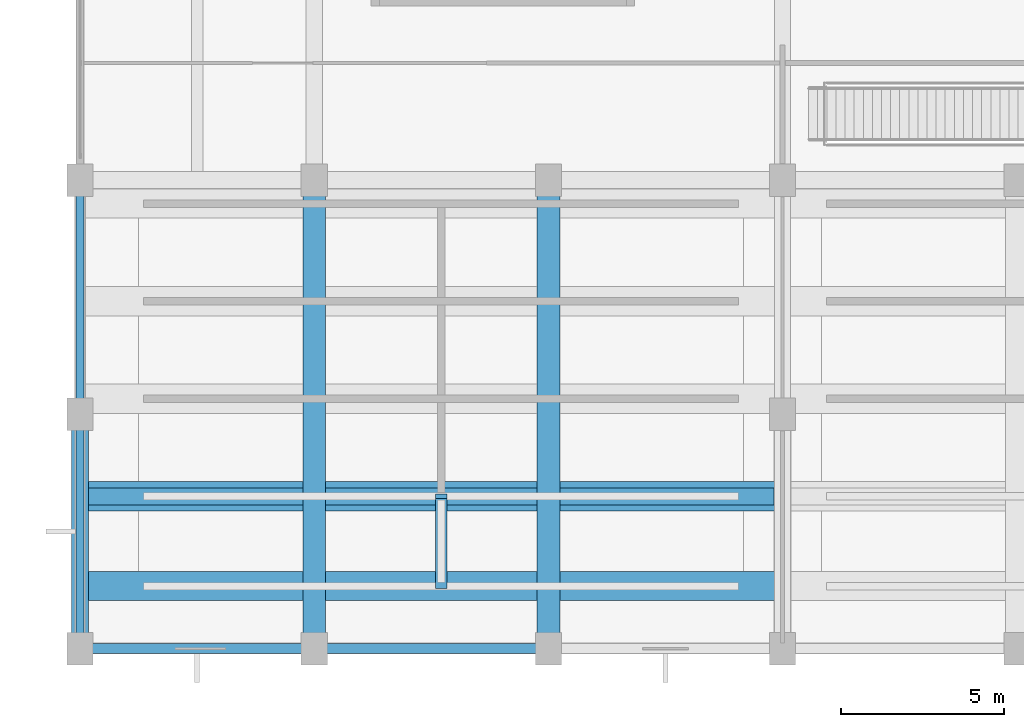
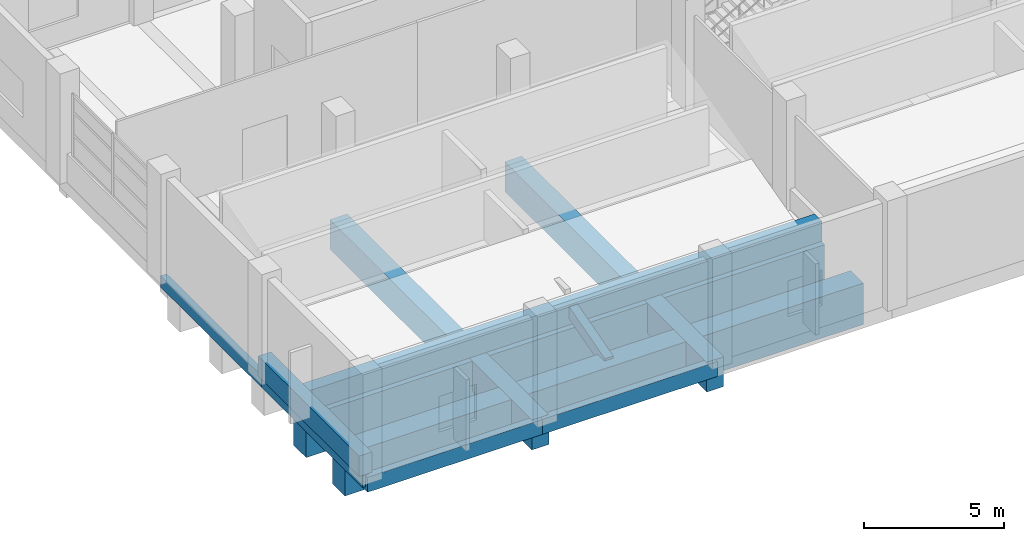
# One storey, part 3 of 140: 11 beams.
"""IFC4 building model written with IfcOpenShell, lengths in metres."""

import ifcopenshell
import ifcopenshell.guid

model = None  # the IFC model being written
_history = None  # IfcOwnerHistory: only IFC2X3 demands one
_inside = {}  # id of a spatial element -> (the spatial element, [elements in it])
_under = {}  # id of a project, library or spatial element -> (it, [spatial elements below it])
_declared = {}  # id of a project -> (the project, [libraries it declares])
_typed = {}  # id of a type object -> (the type object, [elements of that type])
_made_of = {}  # id of a material, layer set ... -> (it, [elements and type objects made of it])


def new_model(schema):
    """Start an empty IFC model of exactly this schema.

    Asked for "IFC4X3", IfcOpenShell would pick the latest addendum, in which some entities
    have other attributes; the version numbers below select the first issue.
    IFC2X3 requires an IfcOwnerHistory on every rooted entity: one is made here for all.
    """
    global model, _history
    if schema == "IFC4X3":
        model = ifcopenshell.file(schema_version=(4, 3, 0, 0))
    else:
        model = ifcopenshell.file(schema=schema)
    _inside.clear()
    _under.clear()
    _declared.clear()
    _typed.clear()
    _made_of.clear()
    _history = None
    if model.schema == "IFC2X3":
        org = make("IfcOrganization", Name="unknown")
        user = make(
            "IfcPersonAndOrganization",
            ThePerson=make("IfcPerson", FamilyName="unknown"),
            TheOrganization=org,
        )
        app = make(
            "IfcApplication",
            ApplicationDeveloper=org,
            Version="unknown",
            ApplicationFullName="unknown",
            ApplicationIdentifier="unknown",
        )
        _history = make(
            "IfcOwnerHistory",
            OwningUser=user,
            OwningApplication=app,
            ChangeAction="ADDED",
            CreationDate=0,
        )
    return model


def make(cls, **values):
    """One entity of the class cls with the attributes given. An attribute that is None is left unset."""
    return model.create_entity(
        cls, **{name: value for name, value in values.items() if value is not None}
    )


def rooted(cls, **values):
    """An entity with a GlobalId (a new one), such as an element, a storey or a relation."""
    return make(cls, GlobalId=ifcopenshell.guid.new(), OwnerHistory=_history, **values)


def si_unit(unit_type, name, prefix=None):
    """IfcSIUnit, for example si_unit("LENGTHUNIT", "METRE", prefix="MILLI")."""
    return make("IfcSIUnit", UnitType=unit_type, Prefix=prefix, Name=name)


def assignment(units):
    """IfcUnitAssignment: the units of a project."""
    return None if units is None else make("IfcUnitAssignment", Units=units)


def point(xyz):
    """IfcCartesianPoint."""
    return None if xyz is None else make("IfcCartesianPoint", Coordinates=xyz)


def direction(xyz):
    """IfcDirection."""
    return None if xyz is None else make("IfcDirection", DirectionRatios=xyz)


def frame(location, z_axis=None, x_axis=None):
    """IfcAxis2Placement3D, a coordinate frame: its origin and axes. An axis left out is left unset."""
    return make(
        "IfcAxis2Placement3D",
        Location=point(location),
        Axis=direction(z_axis),
        RefDirection=direction(x_axis),
    )


def frame_2d(location, x_axis=None):
    """IfcAxis2Placement2D, a coordinate frame in the plane: its origin and x axis."""
    return make(
        "IfcAxis2Placement2D", Location=point(location), RefDirection=direction(x_axis)
    )


def origin():
    """The frame at (0, 0, 0) with its axes left unset."""
    return frame((0.0, 0.0, 0.0))


def origin_2d():
    """The frame at (0, 0) in the plane with its x axis left unset."""
    return frame_2d((0.0, 0.0))


def place(relative_to, where):
    """IfcLocalPlacement: puts the frame where relative to a parent placement (None: the world)."""
    return make(
        "IfcLocalPlacement", PlacementRelTo=relative_to, RelativePlacement=where
    )


def context(
    kind, dimensions, precision=None, world=None, true_north=None, identifier=None
):
    """IfcGeometricRepresentationContext, for example the 3D "Model" context."""
    return make(
        "IfcGeometricRepresentationContext",
        ContextIdentifier=identifier,
        ContextType=kind,
        CoordinateSpaceDimension=dimensions,
        Precision=precision,
        WorldCoordinateSystem=world,
        TrueNorth=true_north,
    )


def subcontext(parent, identifier, kind, view, scale=None):
    """IfcGeometricRepresentationSubContext, for example "Body" below "Model"."""
    return make(
        "IfcGeometricRepresentationSubContext",
        ContextIdentifier=identifier,
        ContextType=kind,
        ParentContext=parent,
        TargetScale=scale,
        TargetView=view,
    )


def project(units=None, contexts=None):
    """IfcProject with its units and contexts."""
    return rooted(
        "IfcProject",
        Name="project",
        RepresentationContexts=contexts,
        UnitsInContext=assignment(units),
    )


def spatial(cls, under=None, at=None, **own):
    """A site, building, storey or space (cls), placed at a placement, below another one or the project."""
    s = rooted(cls, ObjectPlacement=at, **own)
    if under is not None:
        _under.setdefault(under.id(), (under, []))[1].append(s)
    return s


def profile(cls, at=None, kind="AREA", **sizes):
    """A parametric profile (cls). Its sizes go by their IFC names, for example OverallWidth=200.0."""
    return make(cls, ProfileType=kind, Position=at, **sizes)


def rectangle(**sizes):
    """IfcRectangleProfileDef."""
    return profile("IfcRectangleProfileDef", **sizes)


def extrude(swept, where, along, depth):
    """IfcExtrudedAreaSolid: the profile swept, set in the frame where, extruded along a direction by depth."""
    return make(
        "IfcExtrudedAreaSolid",
        SweptArea=swept,
        Position=where,
        ExtrudedDirection=direction(along),
        Depth=depth,
    )


def shape(context_of_items, identifier, shape_type, items):
    """IfcShapeRepresentation: the items that make up one representation, for example the "Body"."""
    return make(
        "IfcShapeRepresentation",
        ContextOfItems=context_of_items,
        RepresentationIdentifier=identifier,
        RepresentationType=shape_type,
        Items=items,
    )


def material(Name=None, Category=None):
    """IfcMaterial."""
    return make("IfcMaterial", Name=Name, Category=Category)


def material_profile(
    of_material, cross_section, Name=None, Category=None, Priority=None
):
    """IfcMaterialProfile: a cross section and its material."""
    return make(
        "IfcMaterialProfile",
        Name=Name,
        Material=of_material,
        Profile=cross_section,
        Priority=Priority,
        Category=Category,
    )


def profile_set(profiles, Name=None, composite=None):
    """IfcMaterialProfileSet."""
    return make(
        "IfcMaterialProfileSet",
        Name=Name,
        MaterialProfiles=profiles,
        CompositeProfile=composite,
    )


def made_of(thing, what):
    """Note that an element or type object is made of a material, layer set ...; save() writes the relation."""
    if what is not None:
        _made_of.setdefault(what.id(), (what, []))[1].append(thing)
    return thing


def type_object(cls, material=None, **own):
    """A type object (cls), such as IfcWallType, which elements share."""
    return made_of(rooted(cls, **own), material)


def element(
    cls,
    number,
    at=None,
    inside=None,
    cuts=None,
    type_object=None,
    material=None,
    context=None,
    identifier="Body",
    shape_type=None,
    held_by="IfcProductDefinitionShape",
    body=None,
    shapes=None,
    **own,
):
    """One element of the class cls, such as IfcWall. Its Tag is "e" and its number.

    at: its placement. inside: the storey or other place that contains it. cuts: it is an
    opening in that element (IfcRelVoidsElement). A single representation is given by context,
    identifier, shape_type and body (its items); several are given by shapes. held_by: the class
    of the entity that holds the representations. save() writes the other relations.
    """
    e = rooted(cls, Tag="e%d" % number, ObjectPlacement=at, **own)
    if body is not None:
        shapes = [shape(context, identifier, shape_type, body)]
    if shapes is not None:
        e.Representation = make(held_by, Representations=shapes)
    if inside is not None:
        _inside.setdefault(inside.id(), (inside, []))[1].append(e)
    if cuts is not None:
        rooted(
            "IfcRelVoidsElement", RelatingBuildingElement=cuts, RelatedOpeningElement=e
        )
    if type_object is not None:
        _typed.setdefault(type_object.id(), (type_object, []))[1].append(e)
    return made_of(e, material)


def aggregate(whole, parts):
    """IfcRelAggregates: a whole, such as a stair, and the parts it consists of."""
    return rooted("IfcRelAggregates", RelatingObject=whole, RelatedObjects=parts)


def save(model, path):
    """Write the relations noted so far, then the file.

    IfcRelAggregates (storeys below a building ...), IfcRelContainedInSpatialStructure (elements
    in a storey), IfcRelDefinesByType, IfcRelAssociatesMaterial and IfcRelDeclares: one each for
    every whole, place, type object, material and project.
    """
    for whole, parts in _under.values():
        aggregate(whole, parts)
    for where, things in _inside.values():
        rooted(
            "IfcRelContainedInSpatialStructure",
            RelatedElements=things,
            RelatingStructure=where,
        )
    for kind, things in _typed.values():
        rooted("IfcRelDefinesByType", RelatedObjects=things, RelatingType=kind)
    for what, things in _made_of.values():
        rooted("IfcRelAssociatesMaterial", RelatedObjects=things, RelatingMaterial=what)
    for by, libraries in _declared.values():
        rooted("IfcRelDeclares", RelatingContext=by, RelatedDefinitions=libraries)
    model.write(path)


model = new_model("IFC4")

# Units and contexts
model_context = context("Model", 3, precision=1e-05, world=origin(), true_north=direction((0.0, 1.0)))
body_context = subcontext(model_context, "Body", "Model", "MODEL_VIEW")
ifc_project = project(units=[si_unit("LENGTHUNIT", "METRE"), si_unit("AREAUNIT", "SQUARE_METRE"), si_unit("VOLUMEUNIT", "CUBIC_METRE"), si_unit("PLANEANGLEUNIT", "RADIAN"), si_unit("MASSUNIT", "GRAM", prefix="KILO")], contexts=[model_context])

# Site, building, storey
site_placement = place(None, origin())
site = spatial("IfcSite", under=ifc_project, at=site_placement, CompositionType="ELEMENT")
building_placement = place(site_placement, origin())
building = spatial("IfcBuilding", under=site, at=building_placement, Name="Seraya Terrace Polytechnic", CompositionType="ELEMENT")
storey_placement = place(building_placement, frame((0.0, 0.0, 9.60009765625)))
storey = spatial("IfcBuildingStorey", under=building, at=storey_placement, Name="L02", CompositionType="ELEMENT", Elevation=9.60009765625)

# Beams
ifc_material = material(Name="Concrete C40/50", Category="concrete")
ifc_material_profile_1 = material_profile(ifc_material, rectangle(XDim=0.699951171875, YDim=1.300048828125, at=origin_2d()), Name="RC 700x1300")
ifc_profile_set_1 = profile_set([ifc_material_profile_1], Name="Concrete C40/50")
beam_type_1 = type_object("IfcBeamType", Name="BG-01", PredefinedType="USERDEFINED", material=ifc_profile_set_1)
for number, where, z_axis, x_axis, name in (
    (1, (7.199951171875, 0.0, -0.650146484375), (0.0, 1.0, 0.0), (-1.0, 0.0, 0.0), "Beam BG-01 L02 Y (7.2, 0.0..14.4)"),
    (2, (14.39990234375, 0.0, -0.650146484375), (0.0, 1.0, 0.0), (-1.0, 0.0, 0.0), "Beam BG-01 L02 Y (14.4, 0.0..14.4)"),
):
    element("IfcBeam", number, at=place(storey_placement, frame(where, z_axis=z_axis, x_axis=x_axis)), inside=storey, type_object=beam_type_1, Name=name, ObjectType="GIRDER", PredefinedType="USERDEFINED", context=body_context, shape_type="SweptSolid", body=[
        extrude(rectangle(XDim=0.699951171875, YDim=1.300048828125, at=origin_2d()), origin(), (0.0, 0.0, 1.0), 14.39990234375),
    ])
ifc_material_profile_2 = material_profile(ifc_material, rectangle(XDim=0.52001953125, YDim=0.8798828125, at=origin_2d()), Name="RC 520x880")
ifc_profile_set_2 = profile_set([ifc_material_profile_2], Name="Concrete C40/50")
beam_type_2 = type_object("IfcBeamType", Name="BM-04", PredefinedType="BEAM", material=ifc_profile_set_2)
beam_1_placement = place(storey_placement, frame((0.0, 0.0, 0.47998046875), z_axis=(0.0, 1.0, 0.0), x_axis=(-1.0, 0.0, 0.0)))
element("IfcBeam", 3, at=beam_1_placement, inside=storey, type_object=beam_type_2, Name="Lecture tier cheek beam W1", PredefinedType="BEAM", context=body_context, shape_type="SweptSolid", body=[
    extrude(rectangle(XDim=0.52001953125, YDim=0.8798828125, at=origin_2d()), origin(), (0.0, 0.0, 1.0), 7.199951171875),
])
beam_2_placement = place(storey_placement, frame((0.260009765625, 4.679931640625, 0.469970703125), z_axis=(1.0, 0.0, 0.0), x_axis=(0.0, 1.0, 0.0)))
element("IfcBeam", 4, at=beam_2_placement, inside=storey, type_object=beam_type_2, Name="Lecture tier bank-1 rear beam S1", PredefinedType="BEAM", context=body_context, shape_type="SweptSolid", body=[
    extrude(rectangle(XDim=0.52001953125, YDim=0.8798828125, at=origin_2d()), origin(), (0.0, 0.0, 1.0), 21.080078125),
])
ifc_material_profile_3 = material_profile(ifc_material, rectangle(XDim=0.35009765625, YDim=0.5, at=origin_2d()), Name="RC 350x500")
ifc_profile_set_3 = profile_set([ifc_material_profile_3], Name="Concrete C40/50")
beam_type_3 = type_object("IfcBeamType", Name="JS-03", PredefinedType="JOIST", material=ifc_profile_set_3)
beam_3_placement = place(storey_placement, frame((11.10009765625, 1.919921875, -0.1201171875), z_axis=(0.0, 0.962306981649, 0.271965573319), x_axis=(-1.0, 0.0, 0.0)))
element("IfcBeam", 5, at=beam_3_placement, inside=storey, type_object=beam_type_3, Name="Lecture tier bank-1 mid raker S1", PredefinedType="JOIST", context=body_context, shape_type="SweptSolid", body=[
    extrude(rectangle(XDim=0.35009765625, YDim=0.5, at=origin_2d()), origin(), (0.0, 0.0, 1.0), 2.8681640625),
])
ifc_material_profile_4 = material_profile(ifc_material, rectangle(XDim=0.300048828125, YDim=0.64990234375, at=origin_2d()), Name="RC 300x650")
ifc_profile_set_4 = profile_set([ifc_material_profile_4], Name="Concrete C40/50")
beam_type_4 = type_object("IfcBeamType", Name="SP-01", PredefinedType="SPANDREL", material=ifc_profile_set_4)
for number, where, z_axis, x_axis, name in (
    (6, (0.0, 0.0, -0.3251953125), (1.0, 0.0, 0.0), (0.0, 1.0, 0.0), "Beam SP-01 L02 X (0.0..7.2, 0.0)"),
    (7, (7.199951171875, 0.0, -0.3251953125), (1.0, 0.0, 0.0), (0.0, 1.0, 0.0), "Beam SP-01 L02 X (7.2..14.4, 0.0)"),
):
    element("IfcBeam", number, at=place(storey_placement, frame(where, z_axis=z_axis, x_axis=x_axis)), inside=storey, type_object=beam_type_4, Name=name, PredefinedType="SPANDREL", context=body_context, shape_type="SweptSolid", body=[
        extrude(rectangle(XDim=0.300048828125, YDim=0.64990234375, at=origin_2d()), origin(), (0.0, 0.0, 1.0), 7.199951171875),
    ])
ifc_material_profile_5 = material_profile(ifc_material, rectangle(XDim=0.25, YDim=0.5, at=origin_2d()), Name="RC 250x500")
ifc_profile_set_5 = profile_set([ifc_material_profile_5], Name="Concrete C40/50")
beam_type_5 = type_object("IfcBeamType", Name="SP-03", PredefinedType="SPANDREL", material=ifc_profile_set_5)
for number, where, z_axis, x_axis, name in (
    (8, (0.0, 0.0, -0.25), (0.0, 1.0, 0.0), (-1.0, 0.0, 0.0), "Beam SP-03 L02 Y (0.0, 0.0..7.2)"),
    (9, (0.0, 7.199951171875, -0.25), (0.0, 1.0, 0.0), (-1.0, 0.0, 0.0), "Beam SP-03 L02 Y (0.0, 7.2..14.4)"),
):
    element("IfcBeam", number, at=place(storey_placement, frame(where, z_axis=z_axis, x_axis=x_axis)), inside=storey, type_object=beam_type_5, Name=name, PredefinedType="SPANDREL", context=body_context, shape_type="SweptSolid", body=[
        extrude(rectangle(XDim=0.25, YDim=0.5, at=origin_2d()), origin(), (0.0, 0.0, 1.0), 7.199951171875),
    ])
ifc_material_profile_6 = material_profile(ifc_material, rectangle(XDim=0.89990234375, YDim=1.800048828125, at=origin_2d()), Name="RC 900x1800")
ifc_profile_set_6 = profile_set([ifc_material_profile_6], Name="Concrete C40/50")
beam_type_6 = type_object("IfcBeamType", Name="TG-01", PredefinedType="USERDEFINED", material=ifc_profile_set_6)
for number, where, z_axis, x_axis, name in (
    (10, (0.0, 1.919921875, -0.900146484375), (1.0, 0.0, 0.0), (0.0, 1.0, 0.0), "Lecture tier support girder TG-01 L02 Y=1.92 #1"),
    (11, (0.0, 4.679931640625, -0.900146484375), (1.0, 0.0, 0.0), (0.0, 1.0, 0.0), "Lecture tier support girder TG-01 L02 Y=4.68 #1"),
):
    element("IfcBeam", number, at=place(storey_placement, frame(where, z_axis=z_axis, x_axis=x_axis)), inside=storey, type_object=beam_type_6, Name=name, ObjectType="GIRDER", PredefinedType="USERDEFINED", context=body_context, shape_type="SweptSolid", body=[
        extrude(rectangle(XDim=0.89990234375, YDim=1.800048828125, at=origin_2d()), origin(), (0.0, 0.0, 1.0), 21.35009765625),
    ])

save(model, "model.ifc")
